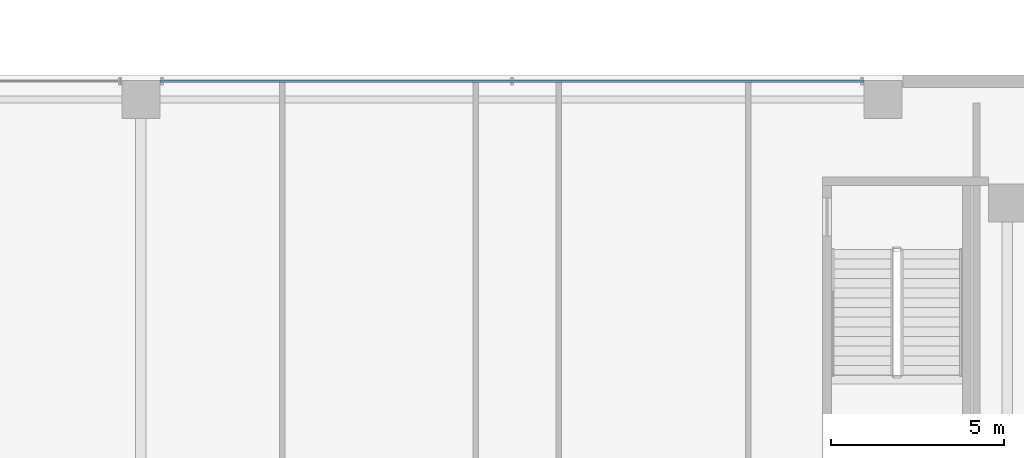
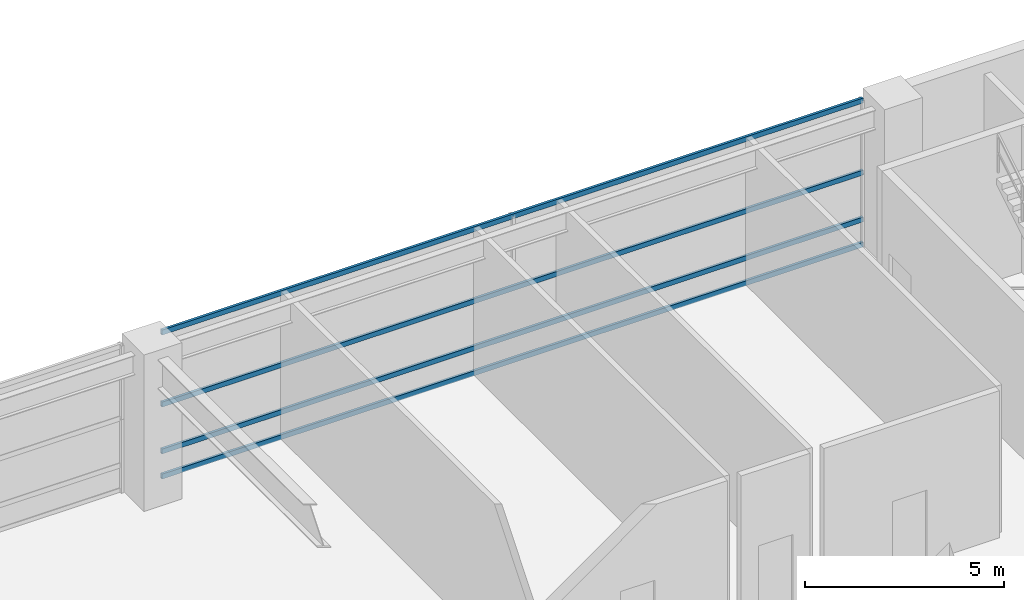
# One storey, part 24 of 37: 4 members, 1 element without a shape of its own.
"""IFC4 building model written with IfcOpenShell, lengths in metres."""

from ifc_helpers import new_model, si_unit, direction, frame, origin, origin_2d, place, context, subcontext, project, spatial, hollow_rectangle, extrude, source, transform, mapped, material, layer, layer_set, material_profile, profile_set, type_object, element, aggregate, save


model = new_model("IFC4")

# Units and contexts
model_context = context("Model", 3, precision=1e-05, world=origin(), true_north=direction((0.0, 1.0)))
body_context = subcontext(model_context, "Body", "Model", "MODEL_VIEW")
ifc_project = project(units=[si_unit("LENGTHUNIT", "METRE"), si_unit("AREAUNIT", "SQUARE_METRE"), si_unit("VOLUMEUNIT", "CUBIC_METRE"), si_unit("PLANEANGLEUNIT", "RADIAN"), si_unit("MASSUNIT", "GRAM", prefix="KILO"), si_unit("THERMODYNAMICTEMPERATUREUNIT", "KELVIN"), si_unit("POWERUNIT", "WATT")], contexts=[model_context])

# Site, building, storey
site_placement = place(None, origin())
site = spatial("IfcSite", under=ifc_project, at=site_placement, CompositionType="ELEMENT")
building_placement = place(site_placement, origin())
building = spatial("IfcBuilding", under=site, at=building_placement, Name="Yuzanri Waterfront Tower", CompositionType="ELEMENT")
storey_placement = place(building_placement, frame((0.0, 0.0, 5.39990234375)))
storey = spatial("IfcBuildingStorey", under=building, at=storey_placement, Name="L02", CompositionType="ELEMENT", Elevation=5.39990234375)

# Curtain wall, members
ifc_material_1 = material(Name="Anodized Architectural Bronze", Category="metal")
ifc_layer = layer(ifc_material_1, 0.159912109375)
ifc_layer_set = layer_set([ifc_layer], Name="Anodized Architectural Bronze")
curtain_wall_type = type_object("IfcCurtainWallType", Name="Anodized Bronze Podium Waterfront Double-Height Unitized Curtain Wall 8400", PredefinedType="NOTDEFINED", material=ifc_layer_set)
curtain_wall_placement = place(storey_placement, origin())
curtain_wall = element("IfcCurtainWall", 1, at=curtain_wall_placement, inside=storey, type_object=curtain_wall_type, Name="L02 Curtain Wall CW-L02-N2", PredefinedType="NOTDEFINED")
ifc_material_2 = material(Name="Anodized Architectural Bronze", Category="metal")
ifc_material_profile = material_profile(ifc_material_2, hollow_rectangle(XDim=0.074951171875, YDim=0.14990234375, WallThickness=0.00390625, at=origin_2d()), Name="CWT 75x150")
ifc_profile_set = profile_set([ifc_material_profile], Name="Anodized Architectural Bronze")
member_type = type_object("IfcMemberType", Name="Anodized Bronze Primary Curtain-Wall Transom 75x150", PredefinedType="USERDEFINED", material=ifc_profile_set)
shared_shape = source(origin(), body_context, "Body", "SweptSolid", [
    extrude(hollow_rectangle(XDim=0.074951171875, YDim=0.14990234375, WallThickness=0.00390625, at=origin_2d()), origin(), (0.0, 0.0, 1.0), 20.35986328125),
])
member_1_placement = place(storey_placement, frame((37.570068359375, 49.6201171875, 0.050048828125), z_axis=(1.0, 0.0, 0.0), x_axis=(0.0, 1.0, 0.0)))
member_1 = element("IfcMember", 2, at=member_1_placement, type_object=member_type, Name="CW-L02-N2 Transom 1", ObjectType="TRANSOM", PredefinedType="USERDEFINED", context=body_context, shape_type="MappedRepresentation", body=[
    mapped(shared_shape, transform((0.0, 0.0, 0.0), scale=1.0)),
])
member_2_placement = place(storey_placement, frame((37.570068359375, 49.6201171875, 0.820068359375), z_axis=(1.0, 0.0, 0.0), x_axis=(0.0, 1.0, 0.0)))
member_2 = element("IfcMember", 3, at=member_2_placement, type_object=member_type, Name="CW-L02-N2 Transom 2", ObjectType="TRANSOM", PredefinedType="USERDEFINED", context=body_context, shape_type="MappedRepresentation", body=[
    mapped(shared_shape, transform((0.0, 0.0, 0.0), scale=1.0)),
])
member_3_placement = place(storey_placement, frame((37.570068359375, 49.6201171875, 2.260009765625), z_axis=(1.0, 0.0, 0.0), x_axis=(0.0, 1.0, 0.0)))
member_3 = element("IfcMember", 4, at=member_3_placement, type_object=member_type, Name="CW-L02-N2 Transom 3", ObjectType="TRANSOM", PredefinedType="USERDEFINED", context=body_context, shape_type="MappedRepresentation", body=[
    mapped(shared_shape, transform((0.0, 0.0, 0.0), scale=1.0)),
])
member_4_placement = place(storey_placement, frame((37.570068359375, 49.6201171875, 4.47021484375), z_axis=(1.0, 0.0, 0.0), x_axis=(0.0, 1.0, 0.0)))
member_4 = element("IfcMember", 5, at=member_4_placement, type_object=member_type, Name="CW-L02-N2 Transom 4", ObjectType="TRANSOM", PredefinedType="USERDEFINED", context=body_context, shape_type="MappedRepresentation", body=[
    mapped(shared_shape, transform((0.0, 0.0, 0.0), scale=1.0)),
])
aggregate(curtain_wall, [member_1, member_2, member_3, member_4])

save(model, "model.ifc")
